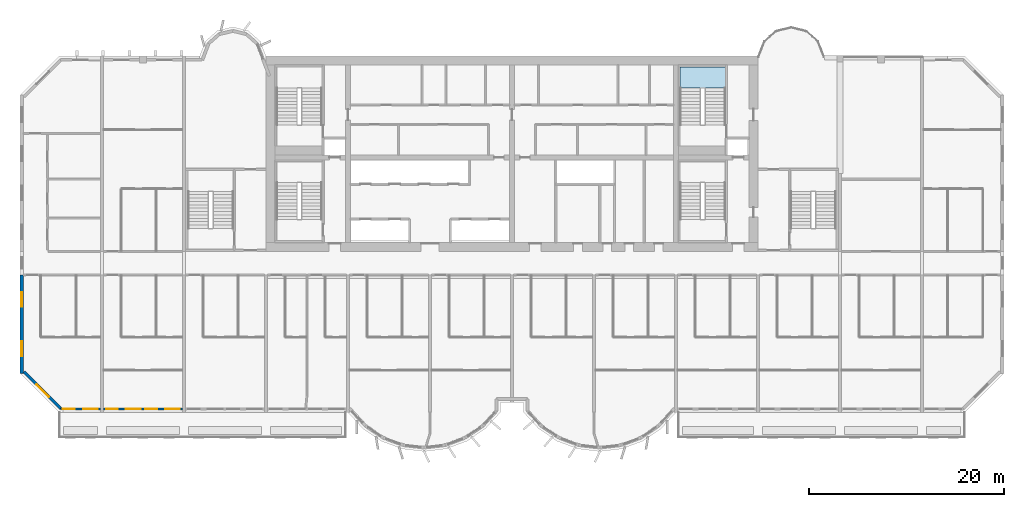
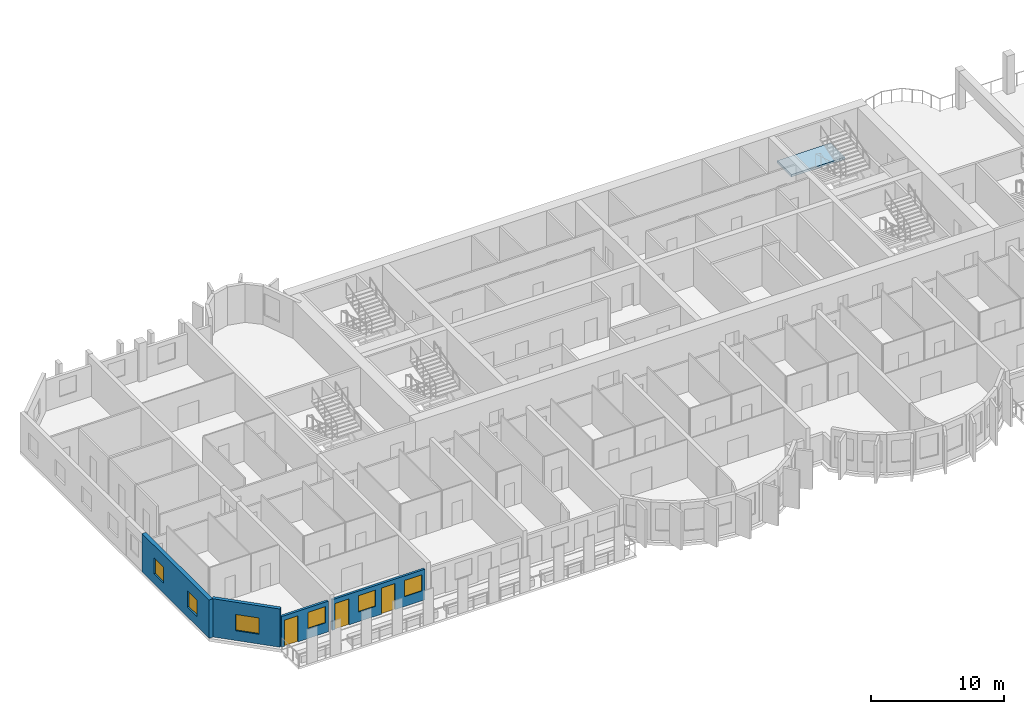
# One storey, part 2 of 15: 6 windows, 4 walls, 3 doors, 1 slab, 9 openings, 1 element without a shape of its own.
"""IFC4 building model written with IfcOpenShell, lengths in metres."""

import ifcopenshell
import ifcopenshell.guid

model = None  # the IFC model being written
_history = None  # IfcOwnerHistory: only IFC2X3 demands one
_inside = {}  # id of a spatial element -> (the spatial element, [elements in it])
_under = {}  # id of a project, library or spatial element -> (it, [spatial elements below it])
_declared = {}  # id of a project -> (the project, [libraries it declares])
_typed = {}  # id of a type object -> (the type object, [elements of that type])
_made_of = {}  # id of a material, layer set ... -> (it, [elements and type objects made of it])


def new_model(schema):
    """Start an empty IFC model of exactly this schema.

    Asked for "IFC4X3", IfcOpenShell would pick the latest addendum, in which some entities
    have other attributes; the version numbers below select the first issue.
    IFC2X3 requires an IfcOwnerHistory on every rooted entity: one is made here for all.
    """
    global model, _history
    if schema == "IFC4X3":
        model = ifcopenshell.file(schema_version=(4, 3, 0, 0))
    else:
        model = ifcopenshell.file(schema=schema)
    _inside.clear()
    _under.clear()
    _declared.clear()
    _typed.clear()
    _made_of.clear()
    _history = None
    if model.schema == "IFC2X3":
        org = make("IfcOrganization", Name="unknown")
        user = make(
            "IfcPersonAndOrganization",
            ThePerson=make("IfcPerson", FamilyName="unknown"),
            TheOrganization=org,
        )
        app = make(
            "IfcApplication",
            ApplicationDeveloper=org,
            Version="unknown",
            ApplicationFullName="unknown",
            ApplicationIdentifier="unknown",
        )
        _history = make(
            "IfcOwnerHistory",
            OwningUser=user,
            OwningApplication=app,
            ChangeAction="ADDED",
            CreationDate=0,
        )
    return model


def make(cls, **values):
    """One entity of the class cls with the attributes given. An attribute that is None is left unset."""
    return model.create_entity(
        cls, **{name: value for name, value in values.items() if value is not None}
    )


def rooted(cls, **values):
    """An entity with a GlobalId (a new one), such as an element, a storey or a relation."""
    return make(cls, GlobalId=ifcopenshell.guid.new(), OwnerHistory=_history, **values)


def si_unit(unit_type, name, prefix=None):
    """IfcSIUnit, for example si_unit("LENGTHUNIT", "METRE", prefix="MILLI")."""
    return make("IfcSIUnit", UnitType=unit_type, Prefix=prefix, Name=name)


def assignment(units):
    """IfcUnitAssignment: the units of a project."""
    return None if units is None else make("IfcUnitAssignment", Units=units)


def point(xyz):
    """IfcCartesianPoint."""
    return None if xyz is None else make("IfcCartesianPoint", Coordinates=xyz)


def direction(xyz):
    """IfcDirection."""
    return None if xyz is None else make("IfcDirection", DirectionRatios=xyz)


def frame(location, z_axis=None, x_axis=None):
    """IfcAxis2Placement3D, a coordinate frame: its origin and axes. An axis left out is left unset."""
    return make(
        "IfcAxis2Placement3D",
        Location=point(location),
        Axis=direction(z_axis),
        RefDirection=direction(x_axis),
    )


def frame_2d(location, x_axis=None):
    """IfcAxis2Placement2D, a coordinate frame in the plane: its origin and x axis."""
    return make(
        "IfcAxis2Placement2D", Location=point(location), RefDirection=direction(x_axis)
    )


def origin():
    """The frame at (0, 0, 0) with its axes left unset."""
    return frame((0.0, 0.0, 0.0))


def place(relative_to, where):
    """IfcLocalPlacement: puts the frame where relative to a parent placement (None: the world)."""
    return make(
        "IfcLocalPlacement", PlacementRelTo=relative_to, RelativePlacement=where
    )


def context(
    kind, dimensions, precision=None, world=None, true_north=None, identifier=None
):
    """IfcGeometricRepresentationContext, for example the 3D "Model" context."""
    return make(
        "IfcGeometricRepresentationContext",
        ContextIdentifier=identifier,
        ContextType=kind,
        CoordinateSpaceDimension=dimensions,
        Precision=precision,
        WorldCoordinateSystem=world,
        TrueNorth=true_north,
    )


def subcontext(parent, identifier, kind, view, scale=None):
    """IfcGeometricRepresentationSubContext, for example "Body" below "Model"."""
    return make(
        "IfcGeometricRepresentationSubContext",
        ContextIdentifier=identifier,
        ContextType=kind,
        ParentContext=parent,
        TargetScale=scale,
        TargetView=view,
    )


def project(units=None, contexts=None):
    """IfcProject with its units and contexts."""
    return rooted(
        "IfcProject",
        Name="project",
        RepresentationContexts=contexts,
        UnitsInContext=assignment(units),
    )


def spatial(cls, under=None, at=None, **own):
    """A site, building, storey or space (cls), placed at a placement, below another one or the project."""
    s = rooted(cls, ObjectPlacement=at, **own)
    if under is not None:
        _under.setdefault(under.id(), (under, []))[1].append(s)
    return s


def polyline(points):
    """IfcPolyline through the points."""
    return make("IfcPolyline", Points=[point(p) for p in points])


def profile(cls, at=None, kind="AREA", **sizes):
    """A parametric profile (cls). Its sizes go by their IFC names, for example OverallWidth=200.0."""
    return make(cls, ProfileType=kind, Position=at, **sizes)


def rectangle(**sizes):
    """IfcRectangleProfileDef."""
    return profile("IfcRectangleProfileDef", **sizes)


def outline(outer, holes=None, kind="AREA"):
    """IfcArbitraryClosedProfileDef: a profile drawn as a closed curve; with holes, ...WithVoids."""
    if holes is None:
        return make("IfcArbitraryClosedProfileDef", ProfileType=kind, OuterCurve=outer)
    return make(
        "IfcArbitraryProfileDefWithVoids",
        ProfileType=kind,
        OuterCurve=outer,
        InnerCurves=holes,
    )


def extrude(swept, where, along, depth):
    """IfcExtrudedAreaSolid: the profile swept, set in the frame where, extruded along a direction by depth."""
    return make(
        "IfcExtrudedAreaSolid",
        SweptArea=swept,
        Position=where,
        ExtrudedDirection=direction(along),
        Depth=depth,
    )


def shape(context_of_items, identifier, shape_type, items):
    """IfcShapeRepresentation: the items that make up one representation, for example the "Body"."""
    return make(
        "IfcShapeRepresentation",
        ContextOfItems=context_of_items,
        RepresentationIdentifier=identifier,
        RepresentationType=shape_type,
        Items=items,
    )


def source(mapping_origin, context_of_items, identifier, shape_type, items):
    """IfcRepresentationMap: a shape defined once, which mapped items show again and again."""
    return make(
        "IfcRepresentationMap",
        MappingOrigin=mapping_origin,
        MappedRepresentation=shape(context_of_items, identifier, shape_type, items),
    )


def transform(
    local_origin,
    x_axis=None,
    y_axis=None,
    z_axis=None,
    scale=None,
    scale2=None,
    scale3=None,
    uniform=True,
):
    """IfcCartesianTransformationOperator3D, or its non-uniform kind. x_axis, y_axis, z_axis: its Axis1, 2, 3."""
    if uniform:
        return make(
            "IfcCartesianTransformationOperator3D",
            Axis1=direction(x_axis),
            Axis2=direction(y_axis),
            LocalOrigin=point(local_origin),
            Scale=scale,
            Axis3=direction(z_axis),
        )
    return make(
        "IfcCartesianTransformationOperator3DnonUniform",
        Axis1=direction(x_axis),
        Axis2=direction(y_axis),
        LocalOrigin=point(local_origin),
        Scale=scale,
        Axis3=direction(z_axis),
        Scale2=scale2,
        Scale3=scale3,
    )


def mapped(mapping_source, mapping_target):
    """IfcMappedItem: shows the shape of a source again, moved by a transform."""
    return make(
        "IfcMappedItem", MappingSource=mapping_source, MappingTarget=mapping_target
    )


def material(Name=None, Category=None):
    """IfcMaterial."""
    return make("IfcMaterial", Name=Name, Category=Category)


def layer(
    of_material, thickness, ventilated=None, Name=None, Category=None, Priority=None
):
    """IfcMaterialLayer: one layer of a wall or slab, of a material (None: an air gap)."""
    return make(
        "IfcMaterialLayer",
        Material=of_material,
        LayerThickness=thickness,
        IsVentilated=ventilated,
        Name=Name,
        Category=Category,
        Priority=Priority,
    )


def layer_set(layers, Name=None):
    """IfcMaterialLayerSet."""
    return make("IfcMaterialLayerSet", MaterialLayers=layers, LayerSetName=Name)


def made_of(thing, what):
    """Note that an element or type object is made of a material, layer set ...; save() writes the relation."""
    if what is not None:
        _made_of.setdefault(what.id(), (what, []))[1].append(thing)
    return thing


def type_object(cls, material=None, **own):
    """A type object (cls), such as IfcWallType, which elements share."""
    return made_of(rooted(cls, **own), material)


def element(
    cls,
    number,
    at=None,
    inside=None,
    cuts=None,
    type_object=None,
    material=None,
    context=None,
    identifier="Body",
    shape_type=None,
    held_by="IfcProductDefinitionShape",
    body=None,
    shapes=None,
    **own,
):
    """One element of the class cls, such as IfcWall. Its Tag is "e" and its number.

    at: its placement. inside: the storey or other place that contains it. cuts: it is an
    opening in that element (IfcRelVoidsElement). A single representation is given by context,
    identifier, shape_type and body (its items); several are given by shapes. held_by: the class
    of the entity that holds the representations. save() writes the other relations.
    """
    e = rooted(cls, Tag="e%d" % number, ObjectPlacement=at, **own)
    if body is not None:
        shapes = [shape(context, identifier, shape_type, body)]
    if shapes is not None:
        e.Representation = make(held_by, Representations=shapes)
    if inside is not None:
        _inside.setdefault(inside.id(), (inside, []))[1].append(e)
    if cuts is not None:
        rooted(
            "IfcRelVoidsElement", RelatingBuildingElement=cuts, RelatedOpeningElement=e
        )
    if type_object is not None:
        _typed.setdefault(type_object.id(), (type_object, []))[1].append(e)
    return made_of(e, material)


def fill(opening, filler):
    """IfcRelFillsElement: the door or window that sits in an opening."""
    return rooted(
        "IfcRelFillsElement",
        RelatingOpeningElement=opening,
        RelatedBuildingElement=filler,
    )


def aggregate(whole, parts):
    """IfcRelAggregates: a whole, such as a stair, and the parts it consists of."""
    return rooted("IfcRelAggregates", RelatingObject=whole, RelatedObjects=parts)


def save(model, path):
    """Write the relations noted so far, then the file.

    IfcRelAggregates (storeys below a building ...), IfcRelContainedInSpatialStructure (elements
    in a storey), IfcRelDefinesByType, IfcRelAssociatesMaterial and IfcRelDeclares: one each for
    every whole, place, type object, material and project.
    """
    for whole, parts in _under.values():
        aggregate(whole, parts)
    for where, things in _inside.values():
        rooted(
            "IfcRelContainedInSpatialStructure",
            RelatedElements=things,
            RelatingStructure=where,
        )
    for kind, things in _typed.values():
        rooted("IfcRelDefinesByType", RelatedObjects=things, RelatingType=kind)
    for what, things in _made_of.values():
        rooted("IfcRelAssociatesMaterial", RelatedObjects=things, RelatingMaterial=what)
    for by, libraries in _declared.values():
        rooted("IfcRelDeclares", RelatingContext=by, RelatedDefinitions=libraries)
    model.write(path)


model = new_model("IFC4")

# Units and contexts
model_context = context("Model", 3, precision=1e-05, world=origin(), true_north=direction((0.0, 1.0)))
body_context = subcontext(model_context, "Body", "Model", "MODEL_VIEW")
ifc_project = project(units=[si_unit("LENGTHUNIT", "METRE"), si_unit("AREAUNIT", "SQUARE_METRE"), si_unit("VOLUMEUNIT", "CUBIC_METRE"), si_unit("PLANEANGLEUNIT", "RADIAN"), si_unit("MASSUNIT", "GRAM", prefix="KILO")], contexts=[model_context])

# Site, building, storey
site_placement = place(None, origin())
site = spatial("IfcSite", under=ifc_project, at=site_placement, CompositionType="ELEMENT")
building_placement = place(site_placement, origin())
building = spatial("IfcBuilding", under=site, at=building_placement, Name="Vanashikhar Sky Hotel", CompositionType="ELEMENT")
storey_placement = place(building_placement, frame((0.0, 0.0, 137.0)))
storey = spatial("IfcBuildingStorey", under=building, at=storey_placement, Name="L33", CompositionType="ELEMENT", Elevation=137.0)

# Stair, slab
ifc_material_1 = material(Name="Concrete M40", Category="concrete")
stair_type = type_object("IfcStairType", Name="Exit stair 2150", PredefinedType="DOUBLE_RETURN_STAIR", material=ifc_material_1)
stair_placement = place(storey_placement, origin())
stair = element("IfcStair", 1, at=stair_placement, inside=storey, type_object=stair_type, Name="L33 Exit stair 6", PredefinedType="DOUBLE_RETURN_STAIR")
ifc_layer_1 = layer(ifc_material_1, 0.199951171875)
ifc_layer_set_1 = layer_set([ifc_layer_1], Name="Stair landing 200")
slab_type = type_object("IfcSlabType", Name="Stair landing 200", PredefinedType="LANDING", material=ifc_layer_set_1)
shared_shape_1 = source(origin(), body_context, "Body", "SweptSolid", [
    extrude(outline(polyline([(72.25, 38.75), (72.25, 40.89990234375), (67.60009765625, 40.89990234375), (67.60009765625, 38.75), (72.25, 38.75)])), origin(), (0.0, 0.0, 1.0), 0.199951171875),
])
slab_placement = place(storey_placement, frame((0.0, 0.0, 1.066650390625)))
slab = element("IfcSlab", 2, at=slab_placement, type_object=slab_type, Name="ST-C4 landing 1", PredefinedType="LANDING", context=body_context, shape_type="MappedRepresentation", body=[
    mapped(shared_shape_1, transform((0.0, 0.0, 0.0), scale=1.0)),
])
aggregate(stair, [slab])

# Wall, openings, windows
ifc_material_2 = material(Name="Concrete M70", Category="concrete")
ifc_layer_2 = layer(ifc_material_2, 0.35009765625)
ifc_layer_set_2 = layer_set([ifc_layer_2], Name="RC shear wall 350 Concrete M70")
wall_type_1 = type_object("IfcWallType", Name="RC shear wall 350 Concrete M70", PredefinedType="SHEAR", material=ifc_layer_set_2)
shared_shape_2 = source(origin(), body_context, "Body", "SweptSolid", [
    extrude(rectangle(XDim=10.10009765625, YDim=0.35009765625, at=frame_2d((5.050048828125, 0.0))), origin(), (0.0, 0.0, 1.0), 3.52001953125),
])
wall_1_placement = place(storey_placement, frame((0.175048828125, 9.5, 0.0), z_axis=(0.0, 0.0, 1.0), x_axis=(0.0, 1.0, 0.0)))
wall_1 = element("IfcWall", 3, at=wall_1_placement, inside=storey, type_object=wall_type_1, Name="CW-L33-XW01-1", PredefinedType="SHEAR", context=body_context, shape_type="MappedRepresentation", body=[
    mapped(shared_shape_2, transform((0.0, 0.0, 0.0), scale=1.0)),
])
shared_shape_3 = source(origin(), body_context, "Body", "SweptSolid", [
    extrude(rectangle(XDim=1.5, YDim=1.5, at=frame_2d((0.75, 0.75))), frame((0.0, 0.18505859375, 0.0), z_axis=(0.0, -1.0, 0.0), x_axis=(1.0, 0.0, 0.0)), (0.0, 0.0, 1.0), 0.3701171875),
])
opening_1_placement = place(wall_1_placement, frame((1.77490234375, 0.0, 0.89990234375)))
opening_1 = element("IfcOpeningElement", 4, at=opening_1_placement, cuts=wall_1, Name="Opening WN-1", PredefinedType="OPENING", context=body_context, shape_type="MappedRepresentation", body=[
    mapped(shared_shape_3, transform((0.0, 0.0, 0.0), scale=1.0)),
])
opening_2_placement = place(wall_1_placement, frame((6.824951171875, 0.0, 0.89990234375)))
opening_2 = element("IfcOpeningElement", 5, at=opening_2_placement, cuts=wall_1, Name="Opening WN-1", PredefinedType="OPENING", context=body_context, shape_type="MappedRepresentation", body=[
    mapped(shared_shape_3, transform((0.0, 0.0, 0.0), scale=1.0)),
])
ifc_material_3 = material(Name="Glass", Category="glass")
window_type_1 = type_object("IfcWindowType", Name="Window 1500 x 1500", PartitioningType="SINGLE_PANEL", PredefinedType="WINDOW", material=ifc_material_3)
shared_shape_4 = source(origin(), body_context, "Body", "SweptSolid", [
    extrude(rectangle(XDim=1.5, YDim=1.5, at=frame_2d((0.75, 0.75))), frame((0.0, 0.030029296875, 0.0), z_axis=(0.0, -1.0, 0.0), x_axis=(1.0, 0.0, 0.0)), (0.0, 0.0, 1.0), 0.06005859375),
])
window_1_placement = place(opening_1_placement, origin())
window_1 = element("IfcWindow", 6, at=window_1_placement, inside=storey, type_object=window_type_1, Name="Window WN-1", OverallHeight=1.5, OverallWidth=1.5, PartitioningType="SINGLE_PANEL", PredefinedType="WINDOW", context=body_context, shape_type="MappedRepresentation", body=[
    mapped(shared_shape_4, transform((0.0, 0.0, 0.0), scale=1.0)),
])
fill(opening_1, window_1)
window_2_placement = place(opening_2_placement, origin())
window_2 = element("IfcWindow", 7, at=window_2_placement, inside=storey, type_object=window_type_1, Name="Window WN-1", OverallHeight=1.5, OverallWidth=1.5, PartitioningType="SINGLE_PANEL", PredefinedType="WINDOW", context=body_context, shape_type="MappedRepresentation", body=[
    mapped(shared_shape_4, transform((0.0, 0.0, 0.0), scale=1.0)),
])
fill(opening_2, window_2)

# Wall, opening, window
ifc_material_4 = material(Name="Concrete M50", Category="concrete")
ifc_layer_3 = layer(ifc_material_4, 0.300048828125)
ifc_layer_set_3 = layer_set([ifc_layer_3], Name="Lobe wall 300")
wall_type_2 = type_object("IfcWallType", Name="Lobe wall 300", PredefinedType="SOLIDWALL", material=ifc_layer_set_3)
shared_shape_5 = source(origin(), body_context, "Body", "SweptSolid", [
    extrude(rectangle(XDim=5.32568359375, YDim=0.300048828125, at=frame_2d((2.662841796875, 0.0))), origin(), (0.0, 0.0, 1.0), 3.52001953125),
])
wall_2_placement = place(storey_placement, frame((0.39990234375, 9.665771484375, 0.0), z_axis=(0.0, 0.0, 1.0), x_axis=(0.707106781187, -0.707106781187, 0.0)))
wall_2 = element("IfcWall", 8, at=wall_2_placement, inside=storey, type_object=wall_type_2, Name="Corner wall", PredefinedType="SOLIDWALL", context=body_context, shape_type="MappedRepresentation", body=[
    mapped(shared_shape_5, transform((0.0, 0.0, 0.0), scale=1.0)),
])
shared_shape_6 = source(origin(), body_context, "Body", "SweptSolid", [
    extrude(rectangle(XDim=1.800048828125, YDim=1.5, at=frame_2d((0.89990234375, 0.75))), frame((0.0, 0.16015625, 0.0), z_axis=(0.0, -1.0, 0.0), x_axis=(1.0, 0.0, 0.0)), (0.0, 0.0, 1.0), 0.320068359375),
])
opening_3_placement = place(wall_2_placement, frame((1.853759765625, 0.0, 0.89990234375)))
opening_3 = element("IfcOpeningElement", 9, at=opening_3_placement, cuts=wall_2, Name="Opening WN-4", PredefinedType="OPENING", context=body_context, shape_type="MappedRepresentation", body=[
    mapped(shared_shape_6, transform((0.0, 0.0, 0.0), scale=1.0)),
])
window_type_2 = type_object("IfcWindowType", Name="Corner window 1800 x 1500", PartitioningType="SINGLE_PANEL", PredefinedType="WINDOW", material=ifc_material_3)
shared_shape_7 = source(origin(), body_context, "Body", "SweptSolid", [
    extrude(rectangle(XDim=1.800048828125, YDim=1.5, at=frame_2d((0.89990234375, 0.75))), frame((0.0, 0.030029296875, 0.0), z_axis=(0.0, -1.0, 0.0), x_axis=(1.0, 0.0, 0.0)), (0.0, 0.0, 1.0), 0.06005859375),
])
window_3_placement = place(opening_3_placement, origin())
window_3 = element("IfcWindow", 10, at=window_3_placement, inside=storey, type_object=window_type_2, Name="Window WN-4", OverallHeight=1.5, OverallWidth=1.800048828125, PartitioningType="SINGLE_PANEL", PredefinedType="WINDOW", context=body_context, shape_type="MappedRepresentation", body=[
    mapped(shared_shape_7, transform((0.0, 0.0, 0.0), scale=1.0)),
])
fill(opening_3, window_3)

# Wall, openings, window, door
ifc_layer_4 = layer(ifc_material_4, 0.199951171875)
ifc_layer_set_4 = layer_set([ifc_layer_4], Name="Front window wall 200")
wall_type_3 = type_object("IfcWallType", Name="Front window wall 200", PredefinedType="SOLIDWALL", material=ifc_layer_set_4)
shared_shape_8 = source(origin(), body_context, "Body", "SweptSolid", [
    extrude(rectangle(XDim=4.080078125, YDim=0.199951171875, at=frame_2d((2.0400390625, 0.0))), origin(), (0.0, 0.0, 1.0), 2.820068359375),
])
wall_3_placement = place(storey_placement, frame((4.14501953125, 5.85009765625, 0.0), z_axis=(0.0, 0.0, 1.0), x_axis=(1.0, 0.0, 0.0)))
wall_3 = element("IfcWall", 11, at=wall_3_placement, inside=storey, type_object=wall_type_3, Name="Front window wall", PredefinedType="SOLIDWALL", context=body_context, shape_type="MappedRepresentation", body=[
    mapped(shared_shape_8, transform((0.0, 0.0, 0.0), scale=1.0)),
])
shared_shape_9 = source(origin(), body_context, "Body", "SweptSolid", [
    extrude(rectangle(XDim=1.199951171875, YDim=2.39990234375, at=frame_2d((0.60009765625, 1.199951171875))), frame((0.0, 0.10986328125, 0.0), z_axis=(0.0, -1.0, 0.0), x_axis=(1.0, 0.0, 0.0)), (0.0, 0.0, 1.0), 0.219970703125),
])
opening_4_placement = place(wall_3_placement, frame((0.25, 0.0, 0.0)))
opening_4 = element("IfcOpeningElement", 12, at=opening_4_placement, cuts=wall_3, Name="Opening BD-01", PredefinedType="OPENING", context=body_context, shape_type="MappedRepresentation", body=[
    mapped(shared_shape_9, transform((0.0, 0.0, 0.0), scale=1.0)),
])
shared_shape_10 = source(origin(), body_context, "Body", "SweptSolid", [
    extrude(rectangle(XDim=1.5, YDim=1.5, at=frame_2d((0.75, 0.75))), frame((0.0, 0.10986328125, 0.0), z_axis=(0.0, -1.0, 0.0), x_axis=(1.0, 0.0, 0.0)), (0.0, 0.0, 1.0), 0.219970703125),
])
opening_5_placement = place(wall_3_placement, frame((2.330078125, 0.0, 0.89990234375)))
opening_5 = element("IfcOpeningElement", 13, at=opening_5_placement, cuts=wall_3, Name="Opening WN-1", PredefinedType="OPENING", context=body_context, shape_type="MappedRepresentation", body=[
    mapped(shared_shape_10, transform((0.0, 0.0, 0.0), scale=1.0)),
])
window_4_placement = place(opening_5_placement, origin())
window_4 = element("IfcWindow", 14, at=window_4_placement, inside=storey, type_object=window_type_1, Name="Window WN-1", OverallHeight=1.5, OverallWidth=1.5, PartitioningType="SINGLE_PANEL", PredefinedType="WINDOW", context=body_context, shape_type="MappedRepresentation", body=[
    mapped(shared_shape_4, transform((0.0, 0.0, 0.0), scale=1.0)),
])
fill(opening_5, window_4)
ifc_material_5 = material(Name="Aluminium", Category="aluminium")
door_type = type_object("IfcDoorType", Name="Balcony sliding door 1200 x 2400", OperationType="NOTDEFINED", PredefinedType="DOOR", material=ifc_material_5)
shared_shape_11 = source(origin(), body_context, "Body", "SweptSolid", [
    extrude(rectangle(XDim=1.199951171875, YDim=2.39990234375, at=frame_2d((0.60009765625, 1.199951171875))), frame((0.0, 0.02490234375, 0.0), z_axis=(0.0, -1.0, 0.0), x_axis=(1.0, 0.0, 0.0)), (0.0, 0.0, 1.0), 0.050048828125),
])
door_1_placement = place(opening_4_placement, origin())
door_1 = element("IfcDoor", 15, at=door_1_placement, inside=storey, type_object=door_type, Name="Balcony sliding door", OperationType="SLIDING_TO_LEFT", OverallHeight=2.39990234375, OverallWidth=1.199951171875, PredefinedType="DOOR", context=body_context, shape_type="MappedRepresentation", body=[
    mapped(shared_shape_11, transform((0.0, 0.0, 0.0), scale=1.0)),
])
fill(opening_4, door_1)

# Wall, openings, windows, doors
shared_shape_12 = source(origin(), body_context, "Body", "SweptSolid", [
    extrude(rectangle(XDim=8.050048828125, YDim=0.199951171875, at=frame_2d((4.02490234375, 0.0))), origin(), (0.0, 0.0, 1.0), 2.820068359375),
])
wall_4_placement = place(storey_placement, frame((8.574951171875, 5.85009765625, 0.0), z_axis=(0.0, 0.0, 1.0), x_axis=(1.0, 0.0, 0.0)))
wall_4 = element("IfcWall", 16, at=wall_4_placement, inside=storey, type_object=wall_type_3, Name="Front window wall", PredefinedType="SOLIDWALL", context=body_context, shape_type="MappedRepresentation", body=[
    mapped(shared_shape_12, transform((0.0, 0.0, 0.0), scale=1.0)),
])
opening_6_placement = place(wall_4_placement, frame((0.25, 0.0, 0.0)))
opening_6 = element("IfcOpeningElement", 17, at=opening_6_placement, cuts=wall_4, Name="Opening BD-02", PredefinedType="OPENING", context=body_context, shape_type="MappedRepresentation", body=[
    mapped(shared_shape_9, transform((0.0, 0.0, 0.0), scale=1.0)),
])
opening_7_placement = place(wall_4_placement, frame((2.27490234375, 0.0, 0.89990234375)))
opening_7 = element("IfcOpeningElement", 18, at=opening_7_placement, cuts=wall_4, Name="Opening WN-1", PredefinedType="OPENING", context=body_context, shape_type="MappedRepresentation", body=[
    mapped(shared_shape_10, transform((0.0, 0.0, 0.0), scale=1.0)),
])
opening_8_placement = place(wall_4_placement, frame((4.27490234375, 0.0, 0.0)))
opening_8 = element("IfcOpeningElement", 19, at=opening_8_placement, cuts=wall_4, Name="Opening BD-03", PredefinedType="OPENING", context=body_context, shape_type="MappedRepresentation", body=[
    mapped(shared_shape_9, transform((0.0, 0.0, 0.0), scale=1.0)),
])
opening_9_placement = place(wall_4_placement, frame((6.300048828125, 0.0, 0.89990234375)))
opening_9 = element("IfcOpeningElement", 20, at=opening_9_placement, cuts=wall_4, Name="Opening WN-1", PredefinedType="OPENING", context=body_context, shape_type="MappedRepresentation", body=[
    mapped(shared_shape_10, transform((0.0, 0.0, 0.0), scale=1.0)),
])
window_5_placement = place(opening_7_placement, origin())
window_5 = element("IfcWindow", 21, at=window_5_placement, inside=storey, type_object=window_type_1, Name="Window WN-1", OverallHeight=1.5, OverallWidth=1.5, PartitioningType="SINGLE_PANEL", PredefinedType="WINDOW", context=body_context, shape_type="MappedRepresentation", body=[
    mapped(shared_shape_4, transform((0.0, 0.0, 0.0), scale=1.0)),
])
fill(opening_7, window_5)
window_6_placement = place(opening_9_placement, origin())
window_6 = element("IfcWindow", 22, at=window_6_placement, inside=storey, type_object=window_type_1, Name="Window WN-1", OverallHeight=1.5, OverallWidth=1.5, PartitioningType="SINGLE_PANEL", PredefinedType="WINDOW", context=body_context, shape_type="MappedRepresentation", body=[
    mapped(shared_shape_4, transform((0.0, 0.0, 0.0), scale=1.0)),
])
fill(opening_9, window_6)
door_2_placement = place(opening_6_placement, origin())
door_2 = element("IfcDoor", 23, at=door_2_placement, inside=storey, type_object=door_type, Name="Balcony sliding door", OperationType="SLIDING_TO_RIGHT", OverallHeight=2.39990234375, OverallWidth=1.199951171875, PredefinedType="DOOR", context=body_context, shape_type="MappedRepresentation", body=[
    mapped(shared_shape_11, transform((0.0, 0.0, 0.0), scale=1.0)),
])
fill(opening_6, door_2)
door_3_placement = place(opening_8_placement, origin())
door_3 = element("IfcDoor", 24, at=door_3_placement, inside=storey, type_object=door_type, Name="Balcony sliding door", OperationType="SLIDING_TO_LEFT", OverallHeight=2.39990234375, OverallWidth=1.199951171875, PredefinedType="DOOR", context=body_context, shape_type="MappedRepresentation", body=[
    mapped(shared_shape_11, transform((0.0, 0.0, 0.0), scale=1.0)),
])
fill(opening_8, door_3)

save(model, "model.ifc")
